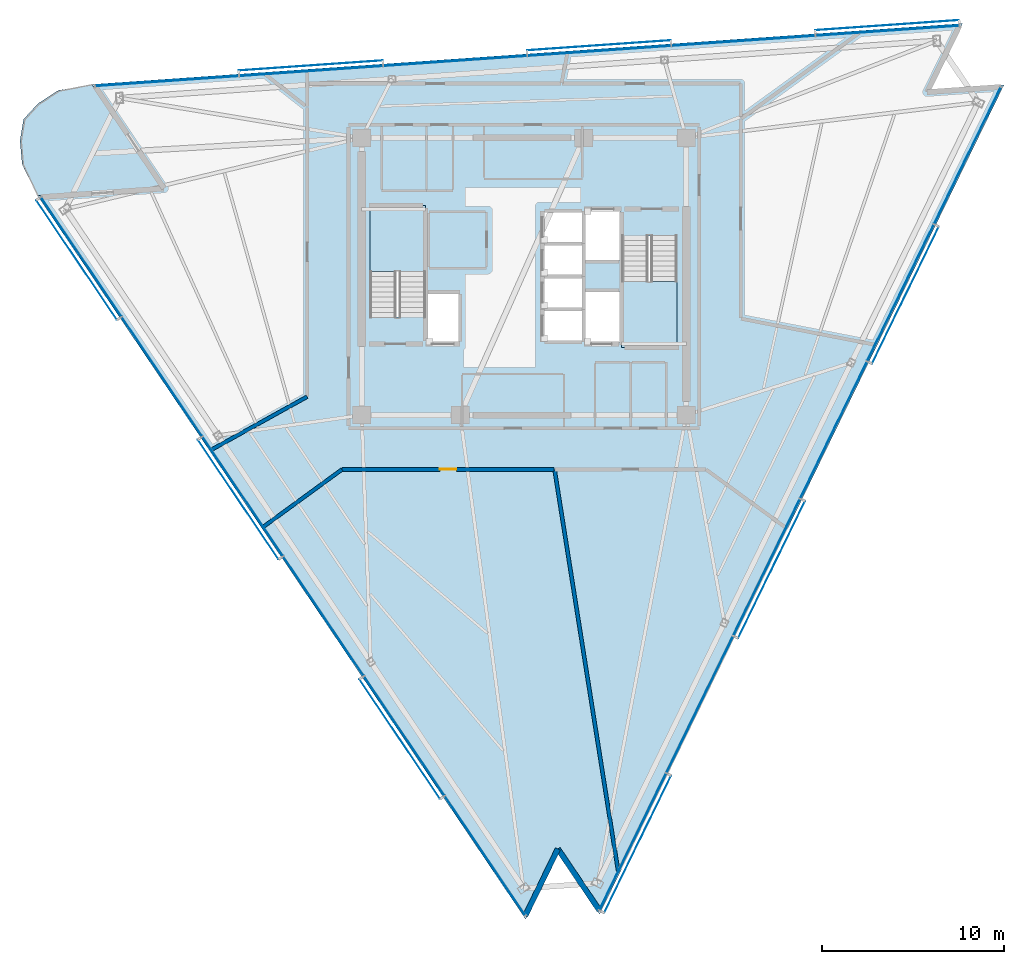
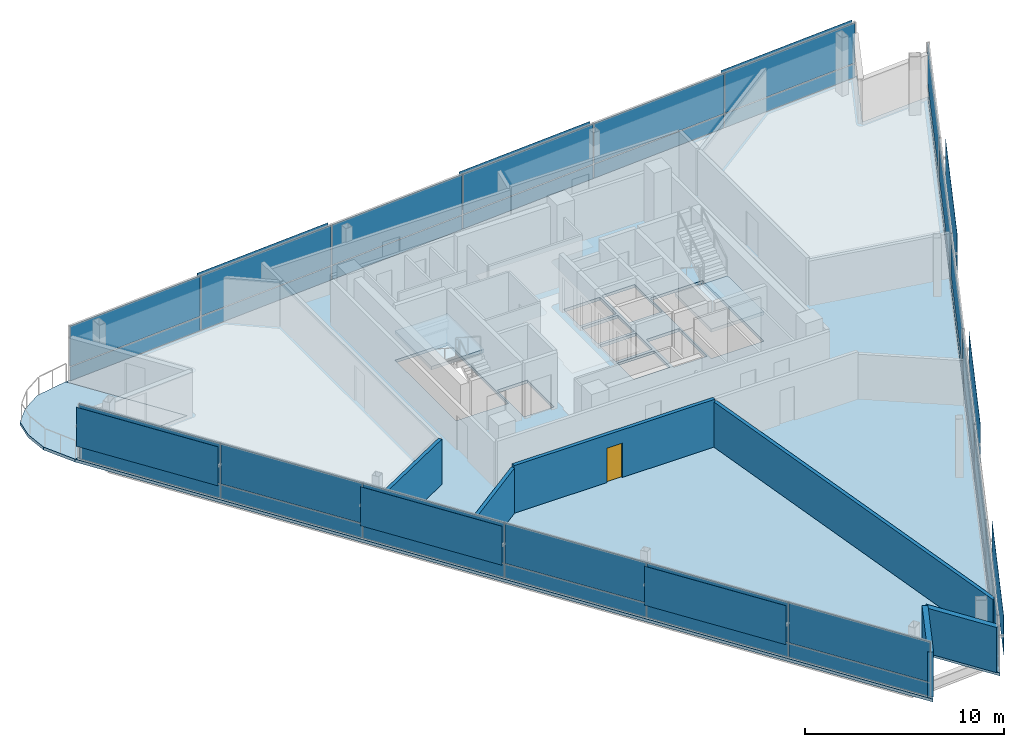
# One storey, part 8 of 15: 45 plates, 6 walls, 4 slabs, 1 door, 1 opening, 5 elements without a shape of their own.
"""IFC4 building model written with IfcOpenShell, lengths in metres."""

from ifc_helpers import new_model, si_unit, direction, frame, frame_2d, origin, origin_2d, place, context, subcontext, project, spatial, polyline, rectangle, outline, extrude, material, layer, layer_set, type_object, element, fill, aggregate, save


model = new_model("IFC4")

# Units and contexts
model_context = context("Model", 3, precision=1e-05, world=origin(), true_north=direction((0.0, 1.0)))
body_context = subcontext(model_context, "Body", "Model", "MODEL_VIEW")
ifc_project = project(units=[si_unit("LENGTHUNIT", "METRE"), si_unit("AREAUNIT", "SQUARE_METRE"), si_unit("VOLUMEUNIT", "CUBIC_METRE"), si_unit("PLANEANGLEUNIT", "RADIAN"), si_unit("MASSUNIT", "GRAM", prefix="KILO")], contexts=[model_context])

# Site, building, storey
site_placement = place(None, origin())
site = spatial("IfcSite", under=ifc_project, at=site_placement, CompositionType="ELEMENT")
building_placement = place(site_placement, origin())
building = spatial("IfcBuilding", under=site, at=building_placement, Name="Tharavind Bronze Gate", CompositionType="ELEMENT")
storey_placement = place(building_placement, frame((0.0, 0.0, 267.800048828125)))
storey = spatial("IfcBuildingStorey", under=building, at=storey_placement, Name="L69", CompositionType="ELEMENT", Elevation=267.800048828125)

# Plates
ifc_material_1 = material(Name="Perforated Bronze Alloy", Category="bronze")
ifc_layer_1 = layer(ifc_material_1, 0.011962890625)
ifc_layer_set_1 = layer_set([ifc_layer_1], Name="Perforated Bronze Alloy")
plate_type_1 = type_object("IfcPlateType", Name="BRONZE PERFORATED SOLAR SCREEN", PredefinedType="USERDEFINED", material=ifc_layer_set_1)
for number, where, z_axis, x_axis, name in (
    (1, (-24.528076171875, 0.904052734375, 0.96630859375), (0.0, 0.0, 1.0), (0.559191456526, -0.82903854853, 0.0), "CW-L69-S1 perforated bronze solar screen 1"),
    (2, (-15.670166015625, -12.228515625, 0.96630859375), (0.0, 0.0, 1.0), (0.559191456526, -0.82903854853, 0.0), "CW-L69-S1 perforated bronze solar screen 3"),
    (3, (-6.812255859375, -25.361083984375, 0.96630859375), (0.0, 0.0, 1.0), (0.559191456526, -0.82903854853, 0.0), "CW-L69-S1 perforated bronze solar screen 5"),
):
    element("IfcPlate", number, at=place(storey_placement, frame(where, z_axis=z_axis, x_axis=x_axis)), inside=storey, type_object=plate_type_1, Name=name, ObjectType="SCREEN", PredefinedType="USERDEFINED", context=body_context, shape_type="SweptSolid", body=[
        extrude(rectangle(XDim=7.900390625, YDim=0.011962890625, at=origin_2d()), origin(), (0.0, 0.0, 1.0), 2.386962890625),
    ])
for number, where, z_axis, x_axis, name in (
    (4, (6.234130859375, -31.12841796875, 0.96630859375), (0.0, 0.0, 1.0), (0.43837271548, 0.898793281196, 0.0), "CW-L69-S2 perforated bronze solar screen 1"),
    (5, (13.57470703125, -16.078369140625, 0.96630859375), (0.0, 0.0, 1.0), (0.43837271548, 0.898793281196, 0.0), "CW-L69-S2 perforated bronze solar screen 3"),
    (6, (20.9150390625, -1.0283203125, 0.96630859375), (0.0, 0.0, 1.0), (0.43837271548, 0.898793281196, 0.0), "CW-L69-S2 perforated bronze solar screen 5"),
):
    element("IfcPlate", number, at=place(storey_placement, frame(where, z_axis=z_axis, x_axis=x_axis)), inside=storey, type_object=plate_type_1, Name=name, ObjectType="SCREEN", PredefinedType="USERDEFINED", context=body_context, shape_type="SweptSolid", body=[
        extrude(rectangle(XDim=8.352294921875, YDim=0.011962890625, at=origin_2d()), origin(), (0.0, 0.0, 1.0), 2.386962890625),
    ])
for number, where, z_axis, x_axis, name in (
    (7, (19.909423828125, 13.779052734375, 0.96630859375), (0.0, 0.0, 1.0), (-0.997563806758, -0.069759955899, 0.0), "CW-L69-S3 perforated bronze solar screen 1"),
    (8, (4.107421875, 12.674072265625, 0.96630859375), (0.0, 0.0, 1.0), (-0.997563806758, -0.069759955899, 0.0), "CW-L69-S3 perforated bronze solar screen 3"),
    (9, (-11.69482421875, 11.569091796875, 0.96630859375), (0.0, 0.0, 1.0), (-0.997563806758, -0.069759955899, 0.0), "CW-L69-S3 perforated bronze solar screen 5"),
):
    element("IfcPlate", number, at=place(storey_placement, frame(where, z_axis=z_axis, x_axis=x_axis)), inside=storey, type_object=plate_type_1, Name=name, ObjectType="SCREEN", PredefinedType="USERDEFINED", context=body_context, shape_type="SweptSolid", body=[
        extrude(rectangle(XDim=7.900390625, YDim=0.011962890625, at=origin_2d()), origin(), (0.0, 0.0, 1.0), 2.386962890625),
    ])

# Curtain wall, plates
ifc_material_2 = material(Name="Anodised Bronze Aluminium", Category="aluminium")
ifc_layer_2 = layer(ifc_material_2, 0.219970703125)
ifc_layer_set_2 = layer_set([ifc_layer_2], Name="Anodised Bronze Aluminium")
curtain_wall_type = type_object("IfcCurtainWallType", Name="UNITISED CURTAIN WALL UPPER OFFICE", PredefinedType="USERDEFINED", material=ifc_layer_set_2)
curtain_wall_1_placement = place(storey_placement, origin())
curtain_wall_1 = element("IfcCurtainWall", 10, at=curtain_wall_1_placement, inside=storey, type_object=curtain_wall_type, Name="L69 unitised curtain wall upper office CW-L69-S1", ObjectType="UNITISED CURTAIN WALL", PredefinedType="USERDEFINED")
ifc_material_3 = material(Name="Patinated Bronze Alloy Sheet", Category="bronze")
ifc_layer_3 = layer(ifc_material_3, 0.01611328125)
ifc_layer_set_3 = layer_set([ifc_layer_3], Name="Patinated Bronze Alloy Sheet")
plate_type_2 = type_object("IfcPlateType", Name="BRONZE SPANDREL CLADDING PANEL 16", PredefinedType="CURTAIN_PANEL", material=ifc_layer_set_3)
plate_1_placement = place(storey_placement, frame((-24.283447265625, 1.069091796875, 0.0263671875), z_axis=(0.0, 0.0, 1.0), x_axis=(0.559191456526, -0.82903854853, 0.0)))
plate_1 = element("IfcPlate", 11, at=plate_1_placement, type_object=plate_type_2, Name="CW-L69-S1 bronze spandrel panel 1", PredefinedType="CURTAIN_PANEL", context=body_context, shape_type="SweptSolid", body=[
    extrude(rectangle(XDim=7.8671875, YDim=0.01611328125, at=origin_2d()), origin(), (0.0, 0.0, 1.0), 0.846923828125),
])
plate_2_placement = place(storey_placement, frame((-19.8544921875, -5.497314453125, 0.0263671875), z_axis=(0.0, 0.0, 1.0), x_axis=(0.559191456526, -0.82903854853, 0.0)))
plate_2 = element("IfcPlate", 12, at=plate_2_placement, type_object=plate_type_2, Name="CW-L69-S1 bronze spandrel panel 2", PredefinedType="CURTAIN_PANEL", context=body_context, shape_type="SweptSolid", body=[
    extrude(rectangle(XDim=7.8671875, YDim=0.01611328125, at=origin_2d()), origin(), (0.0, 0.0, 1.0), 0.846923828125),
])
plate_3_placement = place(storey_placement, frame((-15.425537109375, -12.0634765625, 0.0263671875), z_axis=(0.0, 0.0, 1.0), x_axis=(0.559191456526, -0.82903854853, 0.0)))
plate_3 = element("IfcPlate", 13, at=plate_3_placement, type_object=plate_type_2, Name="CW-L69-S1 bronze spandrel panel 3", PredefinedType="CURTAIN_PANEL", context=body_context, shape_type="SweptSolid", body=[
    extrude(rectangle(XDim=7.8671875, YDim=0.01611328125, at=origin_2d()), origin(), (0.0, 0.0, 1.0), 0.846923828125),
])
plate_4_placement = place(storey_placement, frame((-10.99658203125, -18.629638671875, 0.0263671875), z_axis=(0.0, 0.0, 1.0), x_axis=(0.559191456526, -0.82903854853, 0.0)))
plate_4 = element("IfcPlate", 14, at=plate_4_placement, type_object=plate_type_2, Name="CW-L69-S1 bronze spandrel panel 4", PredefinedType="CURTAIN_PANEL", context=body_context, shape_type="SweptSolid", body=[
    extrude(rectangle(XDim=7.8671875, YDim=0.01611328125, at=origin_2d()), origin(), (0.0, 0.0, 1.0), 0.846923828125),
])
plate_5_placement = place(storey_placement, frame((-6.567626953125, -25.196044921875, 0.0263671875), z_axis=(0.0, 0.0, 1.0), x_axis=(0.559191456526, -0.82903854853, 0.0)))
plate_5 = element("IfcPlate", 15, at=plate_5_placement, type_object=plate_type_2, Name="CW-L69-S1 bronze spandrel panel 5", PredefinedType="CURTAIN_PANEL", context=body_context, shape_type="SweptSolid", body=[
    extrude(rectangle(XDim=7.8671875, YDim=0.01611328125, at=origin_2d()), origin(), (0.0, 0.0, 1.0), 0.846923828125),
])
plate_6_placement = place(storey_placement, frame((-2.138671875, -31.76220703125, 0.0263671875), z_axis=(0.0, 0.0, 1.0), x_axis=(0.559191456526, -0.82903854853, 0.0)))
plate_6 = element("IfcPlate", 16, at=plate_6_placement, type_object=plate_type_2, Name="CW-L69-S1 bronze spandrel panel 6", PredefinedType="CURTAIN_PANEL", context=body_context, shape_type="SweptSolid", body=[
    extrude(rectangle(XDim=7.8671875, YDim=0.01611328125, at=origin_2d()), origin(), (0.0, 0.0, 1.0), 0.846923828125),
])

curtain_wall_2_placement = place(storey_placement, origin())
curtain_wall_2 = element("IfcCurtainWall", 17, at=curtain_wall_2_placement, inside=storey, type_object=curtain_wall_type, Name="L69 unitised curtain wall upper office CW-L69-S2", ObjectType="UNITISED CURTAIN WALL", PredefinedType="USERDEFINED")
plate_7_placement = place(storey_placement, frame((5.968994140625, -30.9990234375, 0.0263671875), z_axis=(0.0, 0.0, 1.0), x_axis=(0.43837271548, 0.898793281196, 0.0)))
plate_7 = element("IfcPlate", 18, at=plate_7_placement, type_object=plate_type_2, Name="CW-L69-S2 bronze spandrel panel 1", PredefinedType="CURTAIN_PANEL", context=body_context, shape_type="SweptSolid", body=[
    extrude(rectangle(XDim=8.3193359375, YDim=0.01611328125, at=origin_2d()), origin(), (0.0, 0.0, 1.0), 0.846923828125),
])
plate_8_placement = place(storey_placement, frame((9.639404296875, -23.47412109375, 0.0263671875), z_axis=(0.0, 0.0, 1.0), x_axis=(0.43837271548, 0.898793281196, 0.0)))
plate_8 = element("IfcPlate", 19, at=plate_8_placement, type_object=plate_type_2, Name="CW-L69-S2 bronze spandrel panel 2", PredefinedType="CURTAIN_PANEL", context=body_context, shape_type="SweptSolid", body=[
    extrude(rectangle(XDim=8.3193359375, YDim=0.01611328125, at=origin_2d()), origin(), (0.0, 0.0, 1.0), 0.846923828125),
])
plate_9_placement = place(storey_placement, frame((13.3095703125, -15.94921875, 0.0263671875), z_axis=(0.0, 0.0, 1.0), x_axis=(0.43837271548, 0.898793281196, 0.0)))
plate_9 = element("IfcPlate", 20, at=plate_9_placement, type_object=plate_type_2, Name="CW-L69-S2 bronze spandrel panel 3", PredefinedType="CURTAIN_PANEL", context=body_context, shape_type="SweptSolid", body=[
    extrude(rectangle(XDim=8.3193359375, YDim=0.01611328125, at=origin_2d()), origin(), (0.0, 0.0, 1.0), 0.846923828125),
])
plate_10_placement = place(storey_placement, frame((16.979736328125, -8.424072265625, 0.0263671875), z_axis=(0.0, 0.0, 1.0), x_axis=(0.43837271548, 0.898793281196, 0.0)))
plate_10 = element("IfcPlate", 21, at=plate_10_placement, type_object=plate_type_2, Name="CW-L69-S2 bronze spandrel panel 4", PredefinedType="CURTAIN_PANEL", context=body_context, shape_type="SweptSolid", body=[
    extrude(rectangle(XDim=8.3193359375, YDim=0.01611328125, at=origin_2d()), origin(), (0.0, 0.0, 1.0), 0.846923828125),
])
plate_11_placement = place(storey_placement, frame((20.64990234375, -0.89892578125, 0.0263671875), z_axis=(0.0, 0.0, 1.0), x_axis=(0.43837271548, 0.898793281196, 0.0)))
plate_11 = element("IfcPlate", 22, at=plate_11_placement, type_object=plate_type_2, Name="CW-L69-S2 bronze spandrel panel 5", PredefinedType="CURTAIN_PANEL", context=body_context, shape_type="SweptSolid", body=[
    extrude(rectangle(XDim=8.3193359375, YDim=0.01611328125, at=origin_2d()), origin(), (0.0, 0.0, 1.0), 0.846923828125),
])
plate_12_placement = place(storey_placement, frame((24.3203125, 6.6259765625, 0.0263671875), z_axis=(0.0, 0.0, 1.0), x_axis=(0.43837271548, 0.898793281196, 0.0)))
plate_12 = element("IfcPlate", 23, at=plate_12_placement, type_object=plate_type_2, Name="CW-L69-S2 bronze spandrel panel 6", PredefinedType="CURTAIN_PANEL", context=body_context, shape_type="SweptSolid", body=[
    extrude(rectangle(XDim=8.3193359375, YDim=0.01611328125, at=origin_2d()), origin(), (0.0, 0.0, 1.0), 0.846923828125),
])

curtain_wall_3_placement = place(storey_placement, origin())
curtain_wall_3 = element("IfcCurtainWall", 24, at=curtain_wall_3_placement, inside=storey, type_object=curtain_wall_type, Name="L69 unitised curtain wall upper office CW-L69-S3", ObjectType="UNITISED CURTAIN WALL", PredefinedType="USERDEFINED")
plate_13_placement = place(storey_placement, frame((19.929931640625, 13.48486328125, 0.0263671875), z_axis=(0.0, 0.0, 1.0), x_axis=(-0.997563806758, -0.069759955899, 0.0)))
plate_13 = element("IfcPlate", 25, at=plate_13_placement, type_object=plate_type_2, Name="CW-L69-S3 bronze spandrel panel 1", PredefinedType="CURTAIN_PANEL", context=body_context, shape_type="SweptSolid", body=[
    extrude(rectangle(XDim=7.8671875, YDim=0.01611328125, at=origin_2d()), origin(), (0.0, 0.0, 1.0), 0.846923828125),
])
plate_14_placement = place(storey_placement, frame((12.02880859375, 12.932373046875, 0.0263671875), z_axis=(0.0, 0.0, 1.0), x_axis=(-0.997563806758, -0.069759955899, 0.0)))
plate_14 = element("IfcPlate", 26, at=plate_14_placement, type_object=plate_type_2, Name="CW-L69-S3 bronze spandrel panel 2", PredefinedType="CURTAIN_PANEL", context=body_context, shape_type="SweptSolid", body=[
    extrude(rectangle(XDim=7.8671875, YDim=0.01611328125, at=origin_2d()), origin(), (0.0, 0.0, 1.0), 0.846923828125),
])
plate_15_placement = place(storey_placement, frame((4.1279296875, 12.3798828125, 0.0263671875), z_axis=(0.0, 0.0, 1.0), x_axis=(-0.997563806758, -0.069759955899, 0.0)))
plate_15 = element("IfcPlate", 27, at=plate_15_placement, type_object=plate_type_2, Name="CW-L69-S3 bronze spandrel panel 3", PredefinedType="CURTAIN_PANEL", context=body_context, shape_type="SweptSolid", body=[
    extrude(rectangle(XDim=7.8671875, YDim=0.01611328125, at=origin_2d()), origin(), (0.0, 0.0, 1.0), 0.846923828125),
])
plate_16_placement = place(storey_placement, frame((-3.773193359375, 11.827392578125, 0.0263671875), z_axis=(0.0, 0.0, 1.0), x_axis=(-0.997563806758, -0.069759955899, 0.0)))
plate_16 = element("IfcPlate", 28, at=plate_16_placement, type_object=plate_type_2, Name="CW-L69-S3 bronze spandrel panel 4", PredefinedType="CURTAIN_PANEL", context=body_context, shape_type="SweptSolid", body=[
    extrude(rectangle(XDim=7.8671875, YDim=0.01611328125, at=origin_2d()), origin(), (0.0, 0.0, 1.0), 0.846923828125),
])
plate_17_placement = place(storey_placement, frame((-11.67431640625, 11.27490234375, 0.0263671875), z_axis=(0.0, 0.0, 1.0), x_axis=(-0.997563806758, -0.069759955899, 0.0)))
plate_17 = element("IfcPlate", 29, at=plate_17_placement, type_object=plate_type_2, Name="CW-L69-S3 bronze spandrel panel 5", PredefinedType="CURTAIN_PANEL", context=body_context, shape_type="SweptSolid", body=[
    extrude(rectangle(XDim=7.8671875, YDim=0.01611328125, at=origin_2d()), origin(), (0.0, 0.0, 1.0), 0.846923828125),
])
plate_18_placement = place(storey_placement, frame((-19.5751953125, 10.722412109375, 0.0263671875), z_axis=(0.0, 0.0, 1.0), x_axis=(-0.997563806758, -0.069759955899, 0.0)))
plate_18 = element("IfcPlate", 30, at=plate_18_placement, type_object=plate_type_2, Name="CW-L69-S3 bronze spandrel panel 6", PredefinedType="CURTAIN_PANEL", context=body_context, shape_type="SweptSolid", body=[
    extrude(rectangle(XDim=7.8671875, YDim=0.01611328125, at=origin_2d()), origin(), (0.0, 0.0, 1.0), 0.846923828125),
])

# Slab
ifc_material_4 = material(Name="Concrete C40/50", Category="concrete")
ifc_layer_4 = layer(ifc_material_4, 0.179931640625)
ifc_layer_set_4 = layer_set([ifc_layer_4], Name="Concrete C40/50")
slab_type_1 = type_object("IfcSlabType", Name="EXTERIOR BALCONY SLAB 180", PredefinedType="FLOOR", material=ifc_layer_set_4)
slab_1_placement = place(storey_placement, frame((0.0, 0.0, -0.179931640625)))
element("IfcSlab", 31, at=slab_1_placement, inside=storey, type_object=slab_type_1, Name="L69 northeast tree balcony slab", PredefinedType="FLOOR", context=body_context, shape_type="SweptSolid", body=[
    extrude(outline(polyline([(-25.535888671875, 10.203125), (-26.644287109375, 9.48681640625), (-27.443359375, 8.618896484375), (-27.63525390625, 7.455322265625), (-27.51708984375, 6.140625), (-26.677734375, 4.43994140625), (-19.914306640625, 4.912841796875), (-23.70556640625, 10.53369140625), (-25.535888671875, 10.203125)])), origin(), (0.0, 0.0, 1.0), 0.179931640625),
])

# Stair, slab
stair_type = type_object("IfcStairType", Name="CORE HALF TURN STAIR 1450", PredefinedType="HALF_TURN_STAIR", material=ifc_material_4)
stair_1_placement = place(storey_placement, origin())
stair_1 = element("IfcStair", 32, at=stair_1_placement, inside=storey, type_object=stair_type, Name="L69 Protected Exit Stair ST1", PredefinedType="HALF_TURN_STAIR")
ifc_layer_5 = layer(ifc_material_4, 0.199951171875)
ifc_layer_set_5 = layer_set([ifc_layer_5], Name="Concrete C40/50")
slab_type_2 = type_object("IfcSlabType", Name="STAIR LANDING SLAB 200", PredefinedType="LANDING", material=ifc_layer_set_5)
slab_2_placement = place(storey_placement, frame((0.0, 0.0, 1.599853515625)))
slab_2 = element("IfcSlab", 33, at=slab_2_placement, type_object=slab_type_2, Name="ST1 landing 1", PredefinedType="LANDING", context=body_context, shape_type="SweptSolid", body=[
    extrude(outline(polyline([(-5.39990234375, 0.27001953125), (-5.39990234375, 3.89990234375), (-8.449951171875, 3.89990234375), (-8.449951171875, 0.27001953125), (-5.39990234375, 0.27001953125)])), origin(), (0.0, 0.0, 1.0), 0.2001953125),
])
aggregate(stair_1, [slab_2])

stair_2_placement = place(storey_placement, origin())
stair_2 = element("IfcStair", 34, at=stair_2_placement, inside=storey, type_object=stair_type, Name="L69 Protected Exit Stair ST2", PredefinedType="HALF_TURN_STAIR")
slab_3_placement = place(storey_placement, frame((0.0, 0.0, 1.599853515625)))
slab_3 = element("IfcSlab", 35, at=slab_3_placement, type_object=slab_type_2, Name="ST2 landing 1", PredefinedType="LANDING", context=body_context, shape_type="SweptSolid", body=[
    extrude(outline(polyline([(5.35009765625, -0.27001953125), (5.35009765625, -3.89990234375), (8.39990234375, -3.89990234375), (8.39990234375, -0.27001953125), (5.35009765625, -0.27001953125)])), origin(), (0.0, 0.0, 1.0), 0.2001953125),
])
aggregate(stair_2, [slab_3])

# Slab
ifc_layer_6 = layer(ifc_material_4, 0.179931640625)
ifc_layer_set_6 = layer_set([ifc_layer_6], Name="Concrete C40/50")
slab_type_3 = type_object("IfcSlabType", Name="STRUCTURAL FLOOR SLAB 180", PredefinedType="FLOOR", material=ifc_layer_set_6)
slab_4_placement = place(storey_placement, frame((0.0, 0.0, -0.179931640625)))
element("IfcSlab", 36, at=slab_4_placement, inside=storey, type_object=slab_type_3, Name="L69 main structural floor slab", PredefinedType="FLOOR", context=body_context, shape_type="SweptSolid", body=[
    extrude(outline(polyline([(-23.70556640625, 10.53369140625), (-19.914306640625, 4.912841796875), (-26.677734375, 4.43994140625), (0.08984375, -35.244873046875), (1.873291015625, -31.588623046875), (4.14794921875, -34.961181640625), (26.321044921875, 10.500244140625), (22.262939453125, 10.216552734375), (24.04638671875, 13.872802734375), (-23.70556640625, 10.53369140625)]), holes=[polyline([(-5.39990234375, -2.215087890625), (-5.39990234375, 3.89990234375), (-8.449951171875, 3.89990234375), (-8.449951171875, -2.215087890625), (-5.39990234375, -2.215087890625)]), polyline([(5.35009765625, 2.215087890625), (5.35009765625, -3.89990234375), (8.39990234375, -3.89990234375), (8.39990234375, 2.215087890625), (5.35009765625, 2.215087890625)]), polyline([(1.080078125, -3.52001953125), (3.199951171875, -3.52001953125), (3.199951171875, -1.8798828125), (1.080078125, -1.8798828125), (1.080078125, -3.52001953125)]), polyline([(1.080078125, -1.719970703125), (3.199951171875, -1.719970703125), (3.199951171875, -0.080078125), (1.080078125, -0.080078125), (1.080078125, -1.719970703125)]), polyline([(1.080078125, 0.080078125), (3.199951171875, 0.080078125), (3.199951171875, 1.719970703125), (1.080078125, 1.719970703125), (1.080078125, 0.080078125)]), polyline([(1.080078125, 1.8798828125), (3.199951171875, 1.8798828125), (3.199951171875, 3.52001953125), (1.080078125, 3.52001953125), (1.080078125, 1.8798828125)]), polyline([(-5.320068359375, -3.6201171875), (-3.580078125, -3.6201171875), (-3.580078125, -0.929931640625), (-5.320068359375, -0.929931640625), (-5.320068359375, -3.6201171875)]), polyline([(3.360107421875, 0.8798828125), (5.27001953125, 0.8798828125), (5.27001953125, 3.6201171875), (3.360107421875, 3.6201171875), (3.360107421875, 0.8798828125)]), polyline([(3.360107421875, -3.6201171875), (5.27001953125, -3.6201171875), (5.27001953125, -0.830078125), (3.360107421875, -0.830078125), (3.360107421875, -3.6201171875)])]), origin(), (0.0, 0.0, 1.0), 0.179931640625),
])

# Plate
ifc_material_5 = material(Name="Triple Solar Control Glazing", Category="glass")
ifc_layer_7 = layer(ifc_material_5, 0.0439453125)
ifc_layer_set_7 = layer_set([ifc_layer_7], Name="Triple Solar Control Glazing")
plate_type_3 = type_object("IfcPlateType", Name="TRIPLE GLAZED FACADE PANEL 44", PredefinedType="CURTAIN_PANEL", material=ifc_layer_set_7)
plate_19_placement = place(storey_placement, frame((-24.283447265625, 1.069091796875, 0.92626953125), z_axis=(0.0, 0.0, 1.0), x_axis=(0.559191456526, -0.82903854853, 0.0)))
plate_19 = element("IfcPlate", 37, at=plate_19_placement, type_object=plate_type_3, Name="CW-L69-S1 vision glazing panel 1", PredefinedType="CURTAIN_PANEL", context=body_context, shape_type="SweptSolid", body=[
    extrude(rectangle(XDim=7.8671875, YDim=0.0439453125, at=origin_2d()), origin(), (0.0, 0.0, 1.0), 2.467041015625),
])

plate_20_placement = place(storey_placement, frame((-19.8544921875, -5.497314453125, 0.92626953125), z_axis=(0.0, 0.0, 1.0), x_axis=(0.559191456526, -0.82903854853, 0.0)))
plate_20 = element("IfcPlate", 38, at=plate_20_placement, type_object=plate_type_3, Name="CW-L69-S1 vision glazing panel 2", PredefinedType="CURTAIN_PANEL", context=body_context, shape_type="SweptSolid", body=[
    extrude(rectangle(XDim=7.8671875, YDim=0.0439453125, at=origin_2d()), origin(), (0.0, 0.0, 1.0), 2.467041015625),
])

plate_21_placement = place(storey_placement, frame((-15.425537109375, -12.0634765625, 0.92626953125), z_axis=(0.0, 0.0, 1.0), x_axis=(0.559191456526, -0.82903854853, 0.0)))
plate_21 = element("IfcPlate", 39, at=plate_21_placement, type_object=plate_type_3, Name="CW-L69-S1 vision glazing panel 3", PredefinedType="CURTAIN_PANEL", context=body_context, shape_type="SweptSolid", body=[
    extrude(rectangle(XDim=7.8671875, YDim=0.0439453125, at=origin_2d()), origin(), (0.0, 0.0, 1.0), 2.467041015625),
])

plate_22_placement = place(storey_placement, frame((-10.99658203125, -18.629638671875, 0.92626953125), z_axis=(0.0, 0.0, 1.0), x_axis=(0.559191456526, -0.82903854853, 0.0)))
plate_22 = element("IfcPlate", 40, at=plate_22_placement, type_object=plate_type_3, Name="CW-L69-S1 vision glazing panel 4", PredefinedType="CURTAIN_PANEL", context=body_context, shape_type="SweptSolid", body=[
    extrude(rectangle(XDim=7.8671875, YDim=0.0439453125, at=origin_2d()), origin(), (0.0, 0.0, 1.0), 2.467041015625),
])

plate_23_placement = place(storey_placement, frame((-6.567626953125, -25.196044921875, 0.92626953125), z_axis=(0.0, 0.0, 1.0), x_axis=(0.559191456526, -0.82903854853, 0.0)))
plate_23 = element("IfcPlate", 41, at=plate_23_placement, type_object=plate_type_3, Name="CW-L69-S1 vision glazing panel 5", PredefinedType="CURTAIN_PANEL", context=body_context, shape_type="SweptSolid", body=[
    extrude(rectangle(XDim=7.8671875, YDim=0.0439453125, at=origin_2d()), origin(), (0.0, 0.0, 1.0), 2.467041015625),
])

plate_24_placement = place(storey_placement, frame((-2.138671875, -31.76220703125, 0.92626953125), z_axis=(0.0, 0.0, 1.0), x_axis=(0.559191456526, -0.82903854853, 0.0)))
plate_24 = element("IfcPlate", 42, at=plate_24_placement, type_object=plate_type_3, Name="CW-L69-S1 vision glazing panel 6", PredefinedType="CURTAIN_PANEL", context=body_context, shape_type="SweptSolid", body=[
    extrude(rectangle(XDim=7.8671875, YDim=0.0439453125, at=origin_2d()), origin(), (0.0, 0.0, 1.0), 2.467041015625),
])

aggregate(curtain_wall_1, [plate_1, plate_19, plate_2, plate_20, plate_3, plate_21, plate_4, plate_22, plate_5, plate_23, plate_6, plate_24])

plate_25_placement = place(storey_placement, frame((5.968994140625, -30.9990234375, 0.92626953125), z_axis=(0.0, 0.0, 1.0), x_axis=(0.43837271548, 0.898793281196, 0.0)))
plate_25 = element("IfcPlate", 43, at=plate_25_placement, type_object=plate_type_3, Name="CW-L69-S2 vision glazing panel 1", PredefinedType="CURTAIN_PANEL", context=body_context, shape_type="SweptSolid", body=[
    extrude(rectangle(XDim=8.3193359375, YDim=0.0439453125, at=origin_2d()), origin(), (0.0, 0.0, 1.0), 2.467041015625),
])

plate_26_placement = place(storey_placement, frame((9.639404296875, -23.47412109375, 0.92626953125), z_axis=(0.0, 0.0, 1.0), x_axis=(0.43837271548, 0.898793281196, 0.0)))
plate_26 = element("IfcPlate", 44, at=plate_26_placement, type_object=plate_type_3, Name="CW-L69-S2 vision glazing panel 2", PredefinedType="CURTAIN_PANEL", context=body_context, shape_type="SweptSolid", body=[
    extrude(rectangle(XDim=8.3193359375, YDim=0.0439453125, at=origin_2d()), origin(), (0.0, 0.0, 1.0), 2.467041015625),
])

plate_27_placement = place(storey_placement, frame((13.3095703125, -15.94921875, 0.92626953125), z_axis=(0.0, 0.0, 1.0), x_axis=(0.43837271548, 0.898793281196, 0.0)))
plate_27 = element("IfcPlate", 45, at=plate_27_placement, type_object=plate_type_3, Name="CW-L69-S2 vision glazing panel 3", PredefinedType="CURTAIN_PANEL", context=body_context, shape_type="SweptSolid", body=[
    extrude(rectangle(XDim=8.3193359375, YDim=0.0439453125, at=origin_2d()), origin(), (0.0, 0.0, 1.0), 2.467041015625),
])

plate_28_placement = place(storey_placement, frame((16.979736328125, -8.424072265625, 0.92626953125), z_axis=(0.0, 0.0, 1.0), x_axis=(0.43837271548, 0.898793281196, 0.0)))
plate_28 = element("IfcPlate", 46, at=plate_28_placement, type_object=plate_type_3, Name="CW-L69-S2 vision glazing panel 4", PredefinedType="CURTAIN_PANEL", context=body_context, shape_type="SweptSolid", body=[
    extrude(rectangle(XDim=8.3193359375, YDim=0.0439453125, at=origin_2d()), origin(), (0.0, 0.0, 1.0), 2.467041015625),
])

plate_29_placement = place(storey_placement, frame((20.64990234375, -0.89892578125, 0.92626953125), z_axis=(0.0, 0.0, 1.0), x_axis=(0.43837271548, 0.898793281196, 0.0)))
plate_29 = element("IfcPlate", 47, at=plate_29_placement, type_object=plate_type_3, Name="CW-L69-S2 vision glazing panel 5", PredefinedType="CURTAIN_PANEL", context=body_context, shape_type="SweptSolid", body=[
    extrude(rectangle(XDim=8.3193359375, YDim=0.0439453125, at=origin_2d()), origin(), (0.0, 0.0, 1.0), 2.467041015625),
])

plate_30_placement = place(storey_placement, frame((24.3203125, 6.6259765625, 0.92626953125), z_axis=(0.0, 0.0, 1.0), x_axis=(0.43837271548, 0.898793281196, 0.0)))
plate_30 = element("IfcPlate", 48, at=plate_30_placement, type_object=plate_type_3, Name="CW-L69-S2 vision glazing panel 6", PredefinedType="CURTAIN_PANEL", context=body_context, shape_type="SweptSolid", body=[
    extrude(rectangle(XDim=8.3193359375, YDim=0.0439453125, at=origin_2d()), origin(), (0.0, 0.0, 1.0), 2.467041015625),
])

aggregate(curtain_wall_2, [plate_7, plate_25, plate_8, plate_26, plate_9, plate_27, plate_10, plate_28, plate_11, plate_29, plate_12, plate_30])

plate_31_placement = place(storey_placement, frame((19.929931640625, 13.48486328125, 0.92626953125), z_axis=(0.0, 0.0, 1.0), x_axis=(-0.997563806758, -0.069759955899, 0.0)))
plate_31 = element("IfcPlate", 49, at=plate_31_placement, type_object=plate_type_3, Name="CW-L69-S3 vision glazing panel 1", PredefinedType="CURTAIN_PANEL", context=body_context, shape_type="SweptSolid", body=[
    extrude(rectangle(XDim=7.8671875, YDim=0.0439453125, at=origin_2d()), origin(), (0.0, 0.0, 1.0), 2.467041015625),
])

plate_32_placement = place(storey_placement, frame((12.02880859375, 12.932373046875, 0.92626953125), z_axis=(0.0, 0.0, 1.0), x_axis=(-0.997563806758, -0.069759955899, 0.0)))
plate_32 = element("IfcPlate", 50, at=plate_32_placement, type_object=plate_type_3, Name="CW-L69-S3 vision glazing panel 2", PredefinedType="CURTAIN_PANEL", context=body_context, shape_type="SweptSolid", body=[
    extrude(rectangle(XDim=7.8671875, YDim=0.0439453125, at=origin_2d()), origin(), (0.0, 0.0, 1.0), 2.467041015625),
])

plate_33_placement = place(storey_placement, frame((4.1279296875, 12.3798828125, 0.92626953125), z_axis=(0.0, 0.0, 1.0), x_axis=(-0.997563806758, -0.069759955899, 0.0)))
plate_33 = element("IfcPlate", 51, at=plate_33_placement, type_object=plate_type_3, Name="CW-L69-S3 vision glazing panel 3", PredefinedType="CURTAIN_PANEL", context=body_context, shape_type="SweptSolid", body=[
    extrude(rectangle(XDim=7.8671875, YDim=0.0439453125, at=origin_2d()), origin(), (0.0, 0.0, 1.0), 2.467041015625),
])

plate_34_placement = place(storey_placement, frame((-3.773193359375, 11.827392578125, 0.92626953125), z_axis=(0.0, 0.0, 1.0), x_axis=(-0.997563806758, -0.069759955899, 0.0)))
plate_34 = element("IfcPlate", 52, at=plate_34_placement, type_object=plate_type_3, Name="CW-L69-S3 vision glazing panel 4", PredefinedType="CURTAIN_PANEL", context=body_context, shape_type="SweptSolid", body=[
    extrude(rectangle(XDim=7.8671875, YDim=0.0439453125, at=origin_2d()), origin(), (0.0, 0.0, 1.0), 2.467041015625),
])

plate_35_placement = place(storey_placement, frame((-11.67431640625, 11.27490234375, 0.92626953125), z_axis=(0.0, 0.0, 1.0), x_axis=(-0.997563806758, -0.069759955899, 0.0)))
plate_35 = element("IfcPlate", 53, at=plate_35_placement, type_object=plate_type_3, Name="CW-L69-S3 vision glazing panel 5", PredefinedType="CURTAIN_PANEL", context=body_context, shape_type="SweptSolid", body=[
    extrude(rectangle(XDim=7.8671875, YDim=0.0439453125, at=origin_2d()), origin(), (0.0, 0.0, 1.0), 2.467041015625),
])

plate_36_placement = place(storey_placement, frame((-19.5751953125, 10.722412109375, 0.92626953125), z_axis=(0.0, 0.0, 1.0), x_axis=(-0.997563806758, -0.069759955899, 0.0)))
plate_36 = element("IfcPlate", 54, at=plate_36_placement, type_object=plate_type_3, Name="CW-L69-S3 vision glazing panel 6", PredefinedType="CURTAIN_PANEL", context=body_context, shape_type="SweptSolid", body=[
    extrude(rectangle(XDim=7.8671875, YDim=0.0439453125, at=origin_2d()), origin(), (0.0, 0.0, 1.0), 2.467041015625),
])

aggregate(curtain_wall_3, [plate_13, plate_31, plate_14, plate_32, plate_15, plate_33, plate_16, plate_34, plate_17, plate_35, plate_18, plate_36])

# Walls
ifc_layer_8 = layer(ifc_material_4, 0.300048828125)
ifc_layer_set_8 = layer_set([ifc_layer_8], Name="Concrete C40/50")
wall_type_1 = type_object("IfcWallType", Name="EXTERIOR SPANDREL WALL 300", PredefinedType="STANDARD", material=ifc_layer_set_8)
wall_1_placement = place(storey_placement, frame((0.075927734375, -35.04541015625, 0.0), z_axis=(0.0, 0.0, 1.0), x_axis=(0.438357414153, 0.898800744024, 0.0)))
element("IfcWall", 55, at=wall_1_placement, inside=storey, type_object=wall_type_1, Name="L69 notch cheek wall 2A", PredefinedType="STANDARD", context=body_context, shape_type="SweptSolid", body=[
    extrude(rectangle(XDim=4.06787109375, YDim=0.300048828125, at=frame_2d((2.033935546875, 0.0))), origin(), (0.0, 0.0, 1.0), 2.764892578125),
])
wall_2_placement = place(storey_placement, frame((1.859130859375, -31.38916015625, 0.0), z_axis=(0.0, 0.0, 1.0), x_axis=(0.559206900681, -0.829028131145, 0.0)))
element("IfcWall", 56, at=wall_2_placement, inside=storey, type_object=wall_type_1, Name="L69 notch cheek wall 2B", PredefinedType="STANDARD", context=body_context, shape_type="SweptSolid", body=[
    extrude(rectangle(XDim=4.068115234375, YDim=0.300048828125, at=frame_2d((2.0341796875, 0.0))), origin(), (0.0, 0.0, 1.0), 2.764892578125),
])
ifc_material_6 = material(Name="Aerated Concrete Block", Category="concrete")
ifc_layer_9 = layer(ifc_material_6, 0.199951171875)
ifc_layer_set_9 = layer_set([ifc_layer_9], Name="Aerated Concrete Block")
wall_type_2 = type_object("IfcWallType", Name="FIRE RATED PARTITION 200", PredefinedType="PARTITIONING", material=ifc_layer_set_9)
wall_3_placement = place(storey_placement, frame((5.16943359375, -32.638671875, 0.0), z_axis=(0.0, 0.0, 1.0), x_axis=(-0.156427400595, 0.987689459468, 0.0)))
element("IfcWall", 57, at=wall_3_placement, inside=storey, type_object=wall_type_2, Name="L69 Public Restrooms Block partition", PredefinedType="PARTITIONING", context=body_context, shape_type="SweptSolid", body=[
    extrude(rectangle(XDim=22.304443359375, YDim=0.199951171875, at=frame_2d((11.15234375, 0.0))), origin(), (0.0, 0.0, 1.0), 2.764892578125),
])
wall_4_placement = place(storey_placement, frame((-11.892822265625, -6.59228515625, 0.0), z_axis=(0.0, 0.0, 1.0), x_axis=(-0.874620360133, -0.484808442213, 0.0)))
element("IfcWall", 58, at=wall_4_placement, inside=storey, type_object=wall_type_2, Name="L69 Dispute Resolution Office partition", PredefinedType="PARTITIONING", context=body_context, shape_type="SweptSolid", body=[
    extrude(rectangle(XDim=5.988037109375, YDim=0.199951171875, at=frame_2d((2.994140625, 0.0))), origin(), (0.0, 0.0, 1.0), 2.764892578125),
])
wall_5_placement = place(storey_placement, frame((-14.299560546875, -13.73291015625, 0.0), z_axis=(0.0, 0.0, 1.0), x_axis=(0.807823888807, 0.589423926111, 0.0)))
element("IfcWall", 59, at=wall_5_placement, inside=storey, type_object=wall_type_2, Name="L69 Law Tea Pantry partition", PredefinedType="PARTITIONING", context=body_context, shape_type="SweptSolid", body=[
    extrude(rectangle(XDim=5.341064453125, YDim=0.199951171875, at=frame_2d((2.67041015625, 0.0))), origin(), (0.0, 0.0, 1.0), 2.764892578125),
])

# Wall, opening, door
wall_6_placement = place(storey_placement, frame((-9.969970703125, -10.580078125, 0.0), z_axis=(0.0, 0.0, 1.0), x_axis=(1.0, 0.0, 0.0)))
wall_6 = element("IfcWall", 60, at=wall_6_placement, inside=storey, type_object=wall_type_2, Name="L69 Law Tea Pantry partition", PredefinedType="PARTITIONING", context=body_context, shape_type="SweptSolid", body=[
    extrude(rectangle(XDim=11.624267578125, YDim=0.199951171875, at=frame_2d((5.81201171875, 0.0))), origin(), (0.0, 0.0, 1.0), 2.9150390625),
])
opening_placement = place(wall_6_placement, frame((5.362060546875, 0.0, 0.0)))
opening = element("IfcOpeningElement", 61, at=opening_placement, cuts=wall_6, Name="Opening ID07", PredefinedType="OPENING", context=body_context, shape_type="SweptSolid", body=[
    extrude(rectangle(XDim=0.89990234375, YDim=2.10009765625, at=frame_2d((0.449951171875, 1.050048828125))), frame((0.0, 0.11009765625, 0.0), z_axis=(0.0, -1.0, 0.0), x_axis=(1.0, 0.0, 0.0)), (0.0, 0.0, 1.0), 0.219951171875),
])
ifc_material_7 = material(Name="Galvanised Fire Steel", Category="steel")
door_type = type_object("IfcDoorType", Name="PLANT AND RISER FIRE DOOR 900X2100", OperationType="SINGLE_SWING_LEFT", PredefinedType="DOOR", material=ifc_material_7)
door_placement = place(opening_placement, origin())
door = element("IfcDoor", 62, at=door_placement, inside=storey, type_object=door_type, Name="L69 Law Tea Pantry door", OperationType="SINGLE_SWING_LEFT", OverallHeight=2.10009765625, OverallWidth=0.89990234375, PredefinedType="DOOR", context=body_context, shape_type="SweptSolid", body=[
    extrude(rectangle(XDim=0.89990234375, YDim=2.10009765625, at=frame_2d((0.449951171875, 1.050048828125))), frame((0.0, 0.02490234375, 0.0), z_axis=(0.0, -1.0, 0.0), x_axis=(1.0, 0.0, 0.0)), (0.0, 0.0, 1.0), 0.050048828125),
])
fill(opening, door)

save(model, "model.ifc")
